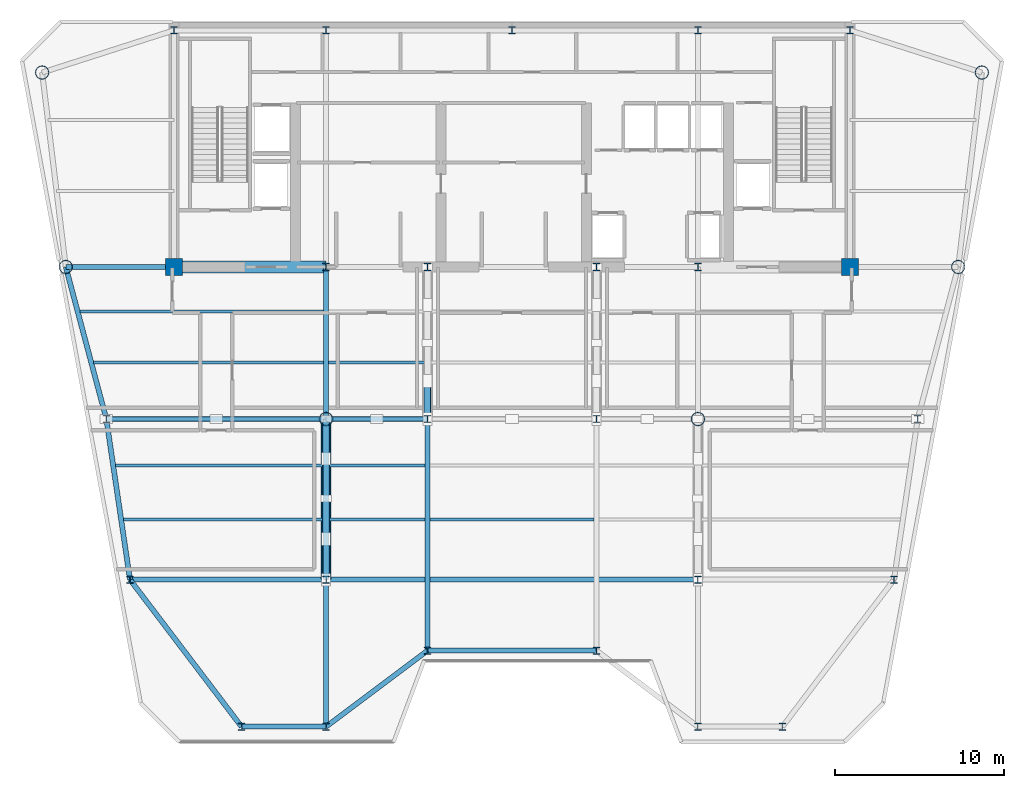
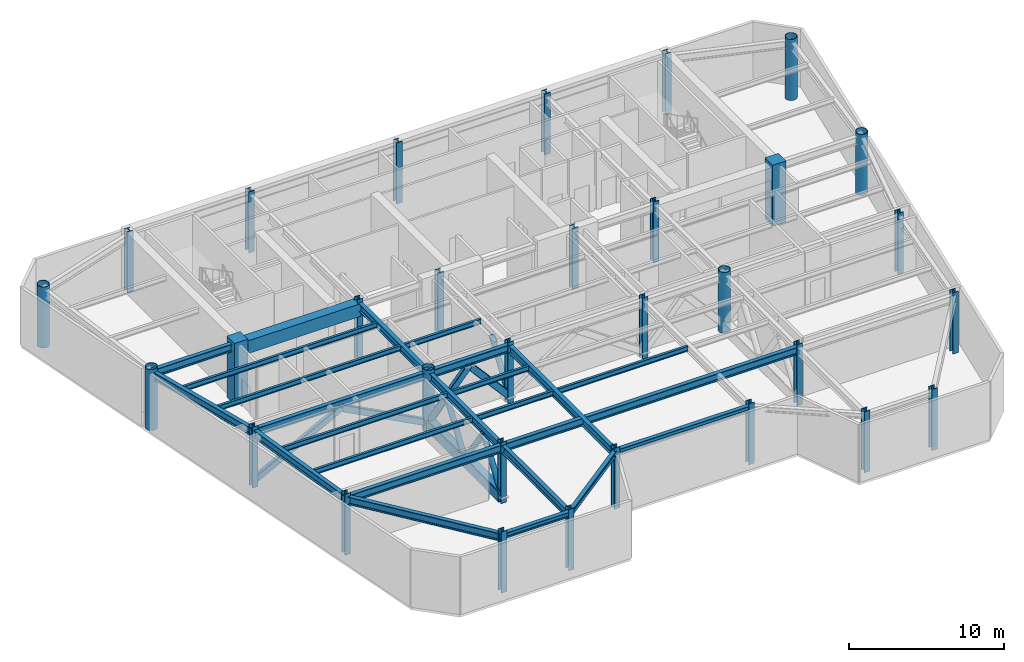
# One storey, part 1 of 9: 31 columns, 24 beams, 11 members.
"""IFC4 building model written with IfcOpenShell, lengths in metres."""

from ifc_helpers import new_model, si_unit, direction, frame, origin, origin_2d, place, context, subcontext, project, spatial, rectangle, hollow_rectangle, hollow_circle, i_section, extrude, source, transform, mapped, material, material_profile, profile_set, type_object, element, save


model = new_model("IFC4")

# Units and contexts
model_context = context("Model", 3, precision=1e-05, world=origin(), true_north=direction((0.0, 1.0)))
body_context = subcontext(model_context, "Body", "Model", "MODEL_VIEW")
ifc_project = project(units=[si_unit("LENGTHUNIT", "METRE"), si_unit("AREAUNIT", "SQUARE_METRE"), si_unit("VOLUMEUNIT", "CUBIC_METRE"), si_unit("PLANEANGLEUNIT", "RADIAN"), si_unit("MASSUNIT", "GRAM", prefix="KILO")], contexts=[model_context])

# Site, building, storey
site_placement = place(None, origin())
site = spatial("IfcSite", under=ifc_project, at=site_placement, CompositionType="ELEMENT")
building_placement = place(site_placement, origin())
building = spatial("IfcBuilding", under=site, at=building_placement, Name="Vaeldorn Concourse Tower", CompositionType="ELEMENT")
storey_placement = place(building_placement, frame((0.0, 0.0, 218.39990234375)))
storey = spatial("IfcBuildingStorey", under=building, at=storey_placement, Name="L56", CompositionType="ELEMENT", Elevation=218.39990234375)

# Columns
ifc_material_1 = material(Name="Concrete C50/60", Category="concrete")
ifc_material_profile_1 = material_profile(ifc_material_1, rectangle(XDim=1.0, YDim=1.0, at=origin_2d()), Name="RC 1000x1000")
ifc_profile_set_1 = profile_set([ifc_material_profile_1], Name="Concrete C50/60")
column_type_1 = type_object("IfcColumnType", Name="COL-RC1000", PredefinedType="COLUMN", material=ifc_profile_set_1)
shared_shape_1 = source(origin(), body_context, "Body", "SweptSolid", [
    extrude(rectangle(XDim=1.0, YDim=1.0, at=origin_2d()), origin(), (0.0, 0.0, 1.0), 4.800048828125),
])
for number, where, z_axis, x_axis, name in (
    (1, (14.0, 36.5, 0.0), (0.0, 0.0, 1.0), (1.0, 0.0, 0.0), "Column C-FC1 L56"),
    (2, (54.0, 36.5, 0.0), (0.0, 0.0, 1.0), (1.0, 0.0, 0.0), "Column C-FC6 L56"),
):
    element("IfcColumn", number, at=place(storey_placement, frame(where, z_axis=z_axis, x_axis=x_axis)), inside=storey, type_object=column_type_1, Name=name, PredefinedType="COLUMN", context=body_context, shape_type="MappedRepresentation", body=[
        mapped(shared_shape_1, transform((0.0, 0.0, 0.0), scale=1.0)),
    ])
ifc_material_2 = material(Name="Steel S460", Category="steel")
ifc_material_profile_2 = material_profile(ifc_material_2, i_section(OverallWidth=0.41796875, OverallDepth=0.455078125, WebThickness=0.0419921875, FlangeThickness=0.05810546875, FilletRadius=0.014892578125, at=origin_2d()), Name="HD 400x551")
ifc_profile_set_2 = profile_set([ifc_material_profile_2], Name="Steel S460")
column_type_2 = type_object("IfcColumnType", Name="COL-HD551", PredefinedType="COLUMN", material=ifc_profile_set_2)
shared_shape_2 = source(origin(), body_context, "Body", "SweptSolid", [
    extrude(i_section(OverallWidth=0.41796875, OverallDepth=0.455078125, WebThickness=0.0419921875, FlangeThickness=0.05810546875, FilletRadius=0.014892578125, at=origin_2d()), origin(), (0.0, 0.0, 1.0), 4.800048828125),
])
for number, where, z_axis, x_axis, name in (
    (3, (23.0, 36.5, 0.0), (0.0, 0.0, 1.0), (1.0, 0.0, 0.0), "Column C-FC2 L56"),
    (4, (29.0, 36.5, 0.0), (0.0, 0.0, 1.0), (1.0, 0.0, 0.0), "Column C-FC3 L56"),
    (5, (39.0, 36.5, 0.0), (0.0, 0.0, 1.0), (1.0, 0.0, 0.0), "Column C-FC4 L56"),
    (6, (45.0, 36.5, 0.0), (0.0, 0.0, 1.0), (1.0, 0.0, 0.0), "Column C-FC5 L56"),
    (7, (14.0, 50.5, 0.0), (0.0, 0.0, 1.0), (1.0, 0.0, 0.0), "Column C-HC1 L56"),
    (8, (23.0, 50.5, 0.0), (0.0, 0.0, 1.0), (1.0, 0.0, 0.0), "Column C-HC2 L56"),
    (9, (34.0, 50.5, 0.0), (0.0, 0.0, 1.0), (1.0, 0.0, 0.0), "Column C-HC3 L56"),
    (10, (45.0, 50.5, 0.0), (0.0, 0.0, 1.0), (1.0, 0.0, 0.0), "Column C-HC4 L56"),
    (11, (54.0, 50.5, 0.0), (0.0, 0.0, 1.0), (1.0, 0.0, 0.0), "Column C-HC5 L56"),
):
    element("IfcColumn", number, at=place(storey_placement, frame(where, z_axis=z_axis, x_axis=x_axis)), inside=storey, type_object=column_type_2, Name=name, PredefinedType="COLUMN", context=body_context, shape_type="MappedRepresentation", body=[
        mapped(shared_shape_2, transform((0.0, 0.0, 0.0), scale=1.0)),
    ])
ifc_material_profile_3 = material_profile(ifc_material_2, hollow_circle(Radius=0.406494140625, WallThickness=0.0400390625, at=origin_2d()), Name="CHS 813x40")
ifc_profile_set_3 = profile_set([ifc_material_profile_3], Name="Steel S460")
column_type_3 = type_object("IfcColumnType", Name="COL-CHS813", PredefinedType="COLUMN", material=ifc_profile_set_3)
shared_shape_3 = source(origin(), body_context, "Body", "SweptSolid", [
    extrude(hollow_circle(Radius=0.406494140625, WallThickness=0.0400390625, at=origin_2d()), origin(), (0.0, 0.0, 1.0), 4.800048828125),
])
for number, where, z_axis, x_axis, name in (
    (12, (6.199951171875, 48.0, 0.0), (0.0, 0.0, 1.0), (1.0, 0.0, 0.0), "Column C-NW1 L56"),
    (13, (7.60009765625, 36.5, 0.0), (0.0, 0.0, 1.0), (1.0, 0.0, 0.0), "Column C-NW2 L56"),
    (14, (61.800048828125, 48.0, 0.0), (0.0, 0.0, 1.0), (1.0, 0.0, 0.0), "Column C-NE1 L56"),
    (15, (60.39990234375, 36.5, 0.0), (0.0, 0.0, 1.0), (1.0, 0.0, 0.0), "Column C-NE2 L56"),
    (16, (23.0, 27.5, 0.0), (0.0, 0.0, 1.0), (1.0, 0.0, 0.0), "Column C-TW1 L56"),
    (17, (45.0, 27.5, 0.0), (0.0, 0.0, 1.0), (1.0, 0.0, 0.0), "Column C-TW4 L56"),
):
    element("IfcColumn", number, at=place(storey_placement, frame(where, z_axis=z_axis, x_axis=x_axis)), inside=storey, type_object=column_type_3, Name=name, PredefinedType="COLUMN", context=body_context, shape_type="MappedRepresentation", body=[
        mapped(shared_shape_3, transform((0.0, 0.0, 0.0), scale=1.0)),
    ])
ifc_material_3 = material(Name="Steel S355", Category="steel")
ifc_material_profile_4 = material_profile(ifc_material_3, i_section(OverallWidth=0.412109375, OverallDepth=0.43505859375, WebThickness=0.035888671875, FlangeThickness=0.050048828125, FilletRadius=0.014892578125, at=origin_2d()), Name="HD 400x463")
ifc_profile_set_4 = profile_set([ifc_material_profile_4], Name="Steel S355")
column_type_4 = type_object("IfcColumnType", Name="COL-HD463F", PredefinedType="COLUMN", material=ifc_profile_set_4)
shared_shape_4 = source(origin(), body_context, "Body", "SweptSolid", [
    extrude(i_section(OverallWidth=0.412109375, OverallDepth=0.43505859375, WebThickness=0.035888671875, FlangeThickness=0.050048828125, FilletRadius=0.014892578125, at=origin_2d()), origin(), (0.0, 0.0, 1.0), 4.800048828125),
])
for number, where, z_axis, x_axis, name in (
    (18, (10.0, 27.5, 0.0), (0.0, 0.0, 1.0), (1.0, 0.0, 0.0), "Column C-FLW1 L56"),
    (19, (11.39990234375, 18.0, 0.0), (0.0, 0.0, 1.0), (1.0, 0.0, 0.0), "Column C-FLW2 L56"),
    (20, (58.0, 27.5, 0.0), (0.0, 0.0, 1.0), (1.0, 0.0, 0.0), "Column C-FLE1 L56"),
    (21, (56.60009765625, 18.0, 0.0), (0.0, 0.0, 1.0), (1.0, 0.0, 0.0), "Column C-FLE2 L56"),
):
    element("IfcColumn", number, at=place(storey_placement, frame(where, z_axis=z_axis, x_axis=x_axis)), inside=storey, type_object=column_type_4, Name=name, PredefinedType="COLUMN", context=body_context, shape_type="MappedRepresentation", body=[
        mapped(shared_shape_4, transform((0.0, 0.0, 0.0), scale=1.0)),
    ])
ifc_material_profile_5 = material_profile(ifc_material_3, i_section(OverallWidth=0.412109375, OverallDepth=0.43505859375, WebThickness=0.035888671875, FlangeThickness=0.050048828125, FilletRadius=0.014892578125, at=origin_2d()), Name="HD 400x463")
ifc_profile_set_5 = profile_set([ifc_material_profile_5], Name="Steel S355")
column_type_5 = type_object("IfcColumnType", Name="COL-HD463T", PredefinedType="COLUMN", material=ifc_profile_set_5)
shared_shape_5 = source(origin(), body_context, "Body", "SweptSolid", [
    extrude(i_section(OverallWidth=0.412109375, OverallDepth=0.43505859375, WebThickness=0.035888671875, FlangeThickness=0.050048828125, FilletRadius=0.014892578125, at=origin_2d()), origin(), (0.0, 0.0, 1.0), 4.800048828125),
])
for number, where, z_axis, x_axis, name in (
    (22, (29.0, 27.5, 0.0), (0.0, 0.0, 1.0), (1.0, 0.0, 0.0), "Column C-TW2 L56"),
    (23, (39.0, 27.5, 0.0), (0.0, 0.0, 1.0), (1.0, 0.0, 0.0), "Column C-TW3 L56"),
    (24, (23.0, 18.0, 0.0), (0.0, 0.0, 1.0), (1.0, 0.0, 0.0), "Column C-TW5 L56"),
    (25, (45.0, 18.0, 0.0), (0.0, 0.0, 1.0), (1.0, 0.0, 0.0), "Column C-TW6 L56"),
    (26, (18.0, 9.300048828125, 0.0), (0.0, 0.0, 1.0), (1.0, 0.0, 0.0), "Column C-SF1 L56"),
    (27, (23.0, 9.300048828125, 0.0), (0.0, 0.0, 1.0), (1.0, 0.0, 0.0), "Column C-SF2 L56"),
    (28, (29.0, 13.800048828125, 0.0), (0.0, 0.0, 1.0), (1.0, 0.0, 0.0), "Column C-SF3 L56"),
    (29, (39.0, 13.800048828125, 0.0), (0.0, 0.0, 1.0), (1.0, 0.0, 0.0), "Column C-SF4 L56"),
    (30, (45.0, 9.300048828125, 0.0), (0.0, 0.0, 1.0), (1.0, 0.0, 0.0), "Column C-SF5 L56"),
    (31, (50.0, 9.300048828125, 0.0), (0.0, 0.0, 1.0), (1.0, 0.0, 0.0), "Column C-SF6 L56"),
):
    element("IfcColumn", number, at=place(storey_placement, frame(where, z_axis=z_axis, x_axis=x_axis)), inside=storey, type_object=column_type_5, Name=name, PredefinedType="COLUMN", context=body_context, shape_type="MappedRepresentation", body=[
        mapped(shared_shape_5, transform((0.0, 0.0, 0.0), scale=1.0)),
    ])

# Beams
ifc_material_profile_6 = material_profile(ifc_material_1, rectangle(XDim=0.699951171875, YDim=1.0, at=origin_2d()), Name="RC 700x1000")
ifc_profile_set_6 = profile_set([ifc_material_profile_6], Name="Concrete C50/60")
beam_type_1 = type_object("IfcBeamType", Name="BM-CB-RC700", PredefinedType="BEAM", material=ifc_profile_set_6)
shared_shape_6 = source(origin(), body_context, "Body", "SweptSolid", [
    extrude(rectangle(XDim=0.699951171875, YDim=1.0, at=origin_2d()), origin(), (0.0, 0.0, 1.0), 9.0),
])
beam_1_placement = place(storey_placement, frame((14.0, 36.5, 4.0400390625), z_axis=(1.0, 0.0, 0.0), x_axis=(0.0, 1.0, 0.0)))
element("IfcBeam", 32, at=beam_1_placement, inside=storey, type_object=beam_type_1, Name="Core Coupling Beam L56-1", PredefinedType="BEAM", context=body_context, shape_type="MappedRepresentation", body=[
    mapped(shared_shape_6, transform((0.0, 0.0, 0.0), scale=1.0)),
])
ifc_material_profile_7 = material_profile(ifc_material_3, i_section(OverallWidth=0.300048828125, OverallDepth=0.60009765625, WebThickness=0.015380859375, FlangeThickness=0.030029296875, FilletRadius=0.027099609375, at=origin_2d()), Name="HEB 600")
ifc_profile_set_7 = profile_set([ifc_material_profile_7], Name="Steel S355")
beam_type_2 = type_object("IfcBeamType", Name="BM-PG-HEB600", PredefinedType="BEAM", material=ifc_profile_set_7)
shared_shape_7 = source(origin(), body_context, "Body", "SweptSolid", [
    extrude(i_section(OverallWidth=0.300048828125, OverallDepth=0.60009765625, WebThickness=0.015380859375, FlangeThickness=0.030029296875, FilletRadius=0.027099609375, at=origin_2d()), origin(), (0.0, 0.0, 1.0), 6.0),
])
beam_2_placement = place(storey_placement, frame((23.0, 27.5, 4.239990234375), z_axis=(1.0, 0.0, 0.0), x_axis=(0.0, 1.0, 0.0)))
element("IfcBeam", 33, at=beam_2_placement, inside=storey, type_object=beam_type_2, Name="Beam BM-L56-C-TW1-C-TW2", PredefinedType="BEAM", context=body_context, shape_type="MappedRepresentation", body=[
    mapped(shared_shape_7, transform((0.0, 0.0, 0.0), scale=1.0)),
])
shared_shape_8 = source(origin(), body_context, "Body", "SweptSolid", [
    extrude(i_section(OverallWidth=0.300048828125, OverallDepth=0.60009765625, WebThickness=0.015380859375, FlangeThickness=0.030029296875, FilletRadius=0.027099609375, at=origin_2d()), origin(), (0.0, 0.0, 1.0), 9.0),
])
beam_3_placement = place(storey_placement, frame((23.0, 27.5, 4.239990234375), z_axis=(0.0, 1.0, 0.0), x_axis=(-1.0, 0.0, 0.0)))
element("IfcBeam", 34, at=beam_3_placement, inside=storey, type_object=beam_type_2, Name="Beam BM-L56-C-TW1-C-FC2", PredefinedType="BEAM", context=body_context, shape_type="MappedRepresentation", body=[
    mapped(shared_shape_8, transform((0.0, 0.0, 0.0), scale=1.0)),
])
shared_shape_9 = source(origin(), body_context, "Body", "SweptSolid", [
    extrude(i_section(OverallWidth=0.300048828125, OverallDepth=0.60009765625, WebThickness=0.015380859375, FlangeThickness=0.030029296875, FilletRadius=0.027099609375, at=origin_2d()), origin(), (0.0, 0.0, 1.0), 6.39990234375),
])
beam_4_placement = place(storey_placement, frame((7.60009765625, 36.5, 4.239990234375), z_axis=(1.0, 0.0, 0.0), x_axis=(0.0, 1.0, 0.0)))
element("IfcBeam", 35, at=beam_4_placement, inside=storey, type_object=beam_type_2, Name="Beam BM-L56-C-NW2-C-FC1", PredefinedType="BEAM", context=body_context, shape_type="MappedRepresentation", body=[
    mapped(shared_shape_9, transform((0.0, 0.0, 0.0), scale=1.0)),
])
shared_shape_10 = source(origin(), body_context, "Body", "SweptSolid", [
    extrude(i_section(OverallWidth=0.300048828125, OverallDepth=0.60009765625, WebThickness=0.015380859375, FlangeThickness=0.030029296875, FilletRadius=0.027099609375, at=origin_2d()), origin(), (0.0, 0.0, 1.0), 9.314453125),
])
beam_5_placement = place(storey_placement, frame((7.60009765625, 36.5, 4.239990234375), z_axis=(0.257652862255, -0.966237549763, 0.0), x_axis=(0.966237549763, 0.257652862255, 0.0)))
element("IfcBeam", 36, at=beam_5_placement, inside=storey, type_object=beam_type_2, Name="Beam BM-L56-C-NW2-C-FLW1", PredefinedType="BEAM", context=body_context, shape_type="MappedRepresentation", body=[
    mapped(shared_shape_10, transform((0.0, 0.0, 0.0), scale=1.0)),
])
shared_shape_11 = source(origin(), body_context, "Body", "SweptSolid", [
    extrude(i_section(OverallWidth=0.300048828125, OverallDepth=0.60009765625, WebThickness=0.015380859375, FlangeThickness=0.030029296875, FilletRadius=0.027099609375, at=origin_2d()), origin(), (0.0, 0.0, 1.0), 13.0),
])
beam_6_placement = place(storey_placement, frame((10.0, 27.5, 4.239990234375), z_axis=(1.0, 0.0, 0.0), x_axis=(0.0, 1.0, 0.0)))
element("IfcBeam", 37, at=beam_6_placement, inside=storey, type_object=beam_type_2, Name="Beam BM-L56-C-FLW1-C-TW1", PredefinedType="BEAM", context=body_context, shape_type="MappedRepresentation", body=[
    mapped(shared_shape_11, transform((0.0, 0.0, 0.0), scale=1.0)),
])
shared_shape_12 = source(origin(), body_context, "Body", "SweptSolid", [
    extrude(i_section(OverallWidth=0.300048828125, OverallDepth=0.60009765625, WebThickness=0.015380859375, FlangeThickness=0.030029296875, FilletRadius=0.027099609375, at=origin_2d()), origin(), (0.0, 0.0, 1.0), 9.6025390625),
])
beam_7_placement = place(storey_placement, frame((10.0, 27.5, 4.239990234375), z_axis=(0.145783835977, -0.989316467652, 0.0), x_axis=(0.989316467652, 0.145783835977, 0.0)))
element("IfcBeam", 38, at=beam_7_placement, inside=storey, type_object=beam_type_2, Name="Beam BM-L56-C-FLW1-C-FLW2", PredefinedType="BEAM", context=body_context, shape_type="MappedRepresentation", body=[
    mapped(shared_shape_12, transform((0.0, 0.0, 0.0), scale=1.0)),
])
shared_shape_13 = source(origin(), body_context, "Body", "SweptSolid", [
    extrude(i_section(OverallWidth=0.300048828125, OverallDepth=0.60009765625, WebThickness=0.015380859375, FlangeThickness=0.030029296875, FilletRadius=0.027099609375, at=origin_2d()), origin(), (0.0, 0.0, 1.0), 11.60009765625),
])
beam_8_placement = place(storey_placement, frame((11.39990234375, 18.0, 4.239990234375), z_axis=(1.0, 0.0, 0.0), x_axis=(0.0, 1.0, 0.0)))
element("IfcBeam", 39, at=beam_8_placement, inside=storey, type_object=beam_type_2, Name="Beam BM-L56-C-FLW2-C-TW5", PredefinedType="BEAM", context=body_context, shape_type="MappedRepresentation", body=[
    mapped(shared_shape_13, transform((0.0, 0.0, 0.0), scale=1.0)),
])
shared_shape_14 = source(origin(), body_context, "Body", "SweptSolid", [
    extrude(i_section(OverallWidth=0.300048828125, OverallDepth=0.60009765625, WebThickness=0.015380859375, FlangeThickness=0.030029296875, FilletRadius=0.027099609375, at=origin_2d()), origin(), (0.0, 0.0, 1.0), 22.0),
])
beam_9_placement = place(storey_placement, frame((23.0, 18.0, 4.239990234375), z_axis=(1.0, 0.0, 0.0), x_axis=(0.0, 1.0, 0.0)))
element("IfcBeam", 40, at=beam_9_placement, inside=storey, type_object=beam_type_2, Name="Beam BM-L56-C-TW5-C-TW6", PredefinedType="BEAM", context=body_context, shape_type="MappedRepresentation", body=[
    mapped(shared_shape_14, transform((0.0, 0.0, 0.0), scale=1.0)),
])
shared_shape_15 = source(origin(), body_context, "Body", "SweptSolid", [
    extrude(i_section(OverallWidth=0.300048828125, OverallDepth=0.60009765625, WebThickness=0.015380859375, FlangeThickness=0.030029296875, FilletRadius=0.027099609375, at=origin_2d()), origin(), (0.0, 0.0, 1.0), 9.5),
])
beam_10_placement = place(storey_placement, frame((23.0, 18.0, 4.239990234375), z_axis=(0.0, 1.0, 0.0), x_axis=(-1.0, 0.0, 0.0)))
element("IfcBeam", 41, at=beam_10_placement, inside=storey, type_object=beam_type_2, Name="Beam BM-L56-C-TW5-C-TW1", PredefinedType="BEAM", context=body_context, shape_type="MappedRepresentation", body=[
    mapped(shared_shape_15, transform((0.0, 0.0, 0.0), scale=1.0)),
])
ifc_material_profile_8 = material_profile(ifc_material_3, i_section(OverallWidth=0.300048828125, OverallDepth=0.39990234375, WebThickness=0.013427734375, FlangeThickness=0.02392578125, FilletRadius=0.027099609375, at=origin_2d()), Name="HEB 400")
ifc_profile_set_8 = profile_set([ifc_material_profile_8], Name="Steel S355")
beam_type_3 = type_object("IfcBeamType", Name="BM-SP-HEB400", PredefinedType="SPANDREL", material=ifc_profile_set_8)
shared_shape_16 = source(origin(), body_context, "Body", "SweptSolid", [
    extrude(i_section(OverallWidth=0.300048828125, OverallDepth=0.39990234375, WebThickness=0.013427734375, FlangeThickness=0.02392578125, FilletRadius=0.027099609375, at=origin_2d()), origin(), (0.0, 0.0, 1.0), 5.0),
])
beam_11_placement = place(storey_placement, frame((18.0, 9.300048828125, 4.340087890625), z_axis=(1.0, 0.0, 0.0), x_axis=(0.0, 1.0, 0.0)))
element("IfcBeam", 42, at=beam_11_placement, inside=storey, type_object=beam_type_3, Name="Beam BM-L56-C-SF1-C-SF2", PredefinedType="SPANDREL", context=body_context, shape_type="MappedRepresentation", body=[
    mapped(shared_shape_16, transform((0.0, 0.0, 0.0), scale=1.0)),
])
shared_shape_17 = source(origin(), body_context, "Body", "SweptSolid", [
    extrude(i_section(OverallWidth=0.300048828125, OverallDepth=0.39990234375, WebThickness=0.013427734375, FlangeThickness=0.02392578125, FilletRadius=0.027099609375, at=origin_2d()), origin(), (0.0, 0.0, 1.0), 7.5),
])
beam_12_placement = place(storey_placement, frame((23.0, 9.300048828125, 4.340087890625), z_axis=(0.8, 0.6, 0.0), x_axis=(-0.6, 0.8, 0.0)))
element("IfcBeam", 43, at=beam_12_placement, inside=storey, type_object=beam_type_3, Name="Beam BM-L56-C-SF2-C-SF3", PredefinedType="SPANDREL", context=body_context, shape_type="MappedRepresentation", body=[
    mapped(shared_shape_17, transform((0.0, 0.0, 0.0), scale=1.0)),
])
shared_shape_18 = source(origin(), body_context, "Body", "SweptSolid", [
    extrude(i_section(OverallWidth=0.300048828125, OverallDepth=0.39990234375, WebThickness=0.013427734375, FlangeThickness=0.02392578125, FilletRadius=0.027099609375, at=origin_2d()), origin(), (0.0, 0.0, 1.0), 10.0),
])
beam_13_placement = place(storey_placement, frame((29.0, 13.800048828125, 4.340087890625), z_axis=(1.0, 0.0, 0.0), x_axis=(0.0, 1.0, 0.0)))
element("IfcBeam", 44, at=beam_13_placement, inside=storey, type_object=beam_type_3, Name="Beam BM-L56-C-SF3-C-SF4", PredefinedType="SPANDREL", context=body_context, shape_type="MappedRepresentation", body=[
    mapped(shared_shape_18, transform((0.0, 0.0, 0.0), scale=1.0)),
])
ifc_material_profile_9 = material_profile(ifc_material_3, i_section(OverallWidth=0.179931640625, OverallDepth=0.39990234375, WebThickness=0.008544921875, FlangeThickness=0.013427734375, FilletRadius=0.02099609375, at=origin_2d()), Name="IPE 400")
ifc_profile_set_9 = profile_set([ifc_material_profile_9], Name="Steel S355")
beam_type_4 = type_object("IfcBeamType", Name="BM-JS-IPE400", PredefinedType="JOIST", material=ifc_profile_set_9)
shared_shape_19 = source(origin(), body_context, "Body", "SweptSolid", [
    extrude(i_section(OverallWidth=0.179931640625, OverallDepth=0.39990234375, WebThickness=0.008544921875, FlangeThickness=0.013427734375, FilletRadius=0.02099609375, at=origin_2d()), origin(), (0.0, 0.0, 1.0), 5.7001953125),
])
for number, where, z_axis, x_axis, name in (
    (45, (23.14990234375, 21.56005859375, 4.340087890625), (1.0, 0.0, 0.0), (0.0, 1.0, 0.0), "Beam JS-L56-W2-215"),
    (46, (23.14990234375, 24.760009765625, 4.340087890625), (1.0, 0.0, 0.0), (0.0, 1.0, 0.0), "Beam JS-L56-W2-247"),
    (47, (23.14990234375, 30.860107421875, 4.340087890625), (1.0, 0.0, 0.0), (0.0, 1.0, 0.0), "Beam JS-L56-W2-308"),
):
    element("IfcBeam", number, at=place(storey_placement, frame(where, z_axis=z_axis, x_axis=x_axis)), inside=storey, type_object=beam_type_4, Name=name, PredefinedType="JOIST", context=body_context, shape_type="MappedRepresentation", body=[
        mapped(shared_shape_19, transform((0.0, 0.0, 0.0), scale=1.0)),
    ])
shared_shape_20 = source(origin(), body_context, "Body", "SweptSolid", [
    extrude(i_section(OverallWidth=0.179931640625, OverallDepth=0.39990234375, WebThickness=0.008544921875, FlangeThickness=0.013427734375, FilletRadius=0.02099609375, at=origin_2d()), origin(), (0.0, 0.0, 1.0), 9.7001953125),
])
beam_14_placement = place(storey_placement, frame((29.14990234375, 21.56005859375, 4.340087890625), z_axis=(1.0, 0.0, 0.0), x_axis=(0.0, 1.0, 0.0)))
element("IfcBeam", 48, at=beam_14_placement, inside=storey, type_object=beam_type_4, Name="Beam JS-L56-C-215", PredefinedType="JOIST", context=body_context, shape_type="MappedRepresentation", body=[
    mapped(shared_shape_20, transform((0.0, 0.0, 0.0), scale=1.0)),
])
shared_shape_21 = source(origin(), body_context, "Body", "SweptSolid", [
    extrude(i_section(OverallWidth=0.179931640625, OverallDepth=0.39990234375, WebThickness=0.008544921875, FlangeThickness=0.013427734375, FilletRadius=0.02099609375, at=origin_2d()), origin(), (0.0, 0.0, 1.0), 11.82470703125),
])
beam_15_placement = place(storey_placement, frame((11.025390625, 21.56005859375, 4.340087890625), z_axis=(1.0, 0.0, 0.0), x_axis=(0.0, 1.0, 0.0)))
element("IfcBeam", 49, at=beam_15_placement, inside=storey, type_object=beam_type_4, Name="Beam JS-L56-W1-215", PredefinedType="JOIST", context=body_context, shape_type="MappedRepresentation", body=[
    mapped(shared_shape_21, transform((0.0, 0.0, 0.0), scale=1.0)),
])
shared_shape_22 = source(origin(), body_context, "Body", "SweptSolid", [
    extrude(i_section(OverallWidth=0.179931640625, OverallDepth=0.39990234375, WebThickness=0.008544921875, FlangeThickness=0.013427734375, FilletRadius=0.02099609375, at=origin_2d()), origin(), (0.0, 0.0, 1.0), 12.29638671875),
])
beam_16_placement = place(storey_placement, frame((10.5537109375, 24.760009765625, 4.340087890625), z_axis=(1.0, 0.0, 0.0), x_axis=(0.0, 1.0, 0.0)))
element("IfcBeam", 50, at=beam_16_placement, inside=storey, type_object=beam_type_4, Name="Beam JS-L56-W1-247", PredefinedType="JOIST", context=body_context, shape_type="MappedRepresentation", body=[
    mapped(shared_shape_22, transform((0.0, 0.0, 0.0), scale=1.0)),
])
shared_shape_23 = source(origin(), body_context, "Body", "SweptSolid", [
    extrude(i_section(OverallWidth=0.179931640625, OverallDepth=0.39990234375, WebThickness=0.008544921875, FlangeThickness=0.013427734375, FilletRadius=0.02099609375, at=origin_2d()), origin(), (0.0, 0.0, 1.0), 13.59619140625),
])
beam_17_placement = place(storey_placement, frame((9.25390625, 30.860107421875, 4.340087890625), z_axis=(1.0, 0.0, 0.0), x_axis=(0.0, 1.0, 0.0)))
element("IfcBeam", 51, at=beam_17_placement, inside=storey, type_object=beam_type_4, Name="Beam JS-L56-W1-308", PredefinedType="JOIST", context=body_context, shape_type="MappedRepresentation", body=[
    mapped(shared_shape_23, transform((0.0, 0.0, 0.0), scale=1.0)),
])
shared_shape_24 = source(origin(), body_context, "Body", "SweptSolid", [
    extrude(i_section(OverallWidth=0.179931640625, OverallDepth=0.39990234375, WebThickness=0.008544921875, FlangeThickness=0.013427734375, FilletRadius=0.02099609375, at=origin_2d()), origin(), (0.0, 0.0, 1.0), 14.39599609375),
])
beam_18_placement = place(storey_placement, frame((8.4541015625, 33.860107421875, 4.340087890625), z_axis=(1.0, 0.0, 0.0), x_axis=(0.0, 1.0, 0.0)))
element("IfcBeam", 52, at=beam_18_placement, inside=storey, type_object=beam_type_4, Name="Beam JS-L56-W1-338", PredefinedType="JOIST", context=body_context, shape_type="MappedRepresentation", body=[
    mapped(shared_shape_24, transform((0.0, 0.0, 0.0), scale=1.0)),
])
shared_shape_25 = source(origin(), body_context, "Body", "SweptSolid", [
    extrude(i_section(OverallWidth=0.300048828125, OverallDepth=0.60009765625, WebThickness=0.015380859375, FlangeThickness=0.030029296875, FilletRadius=0.027099609375, at=origin_2d()), origin(), (0.0, 0.0, 1.0), 10.920166015625),
])
beam_19_placement = place(storey_placement, frame((18.0, 9.300048828125, 4.239990234375), z_axis=(-0.604394310451, 0.796685331542, 0.0), x_axis=(-0.796685331542, -0.604394310451, 0.0)))
element("IfcBeam", 53, at=beam_19_placement, inside=storey, type_object=beam_type_2, Name="Beam BM-L56-C-SF1-C-FLW2", PredefinedType="BEAM", context=body_context, shape_type="MappedRepresentation", body=[
    mapped(shared_shape_25, transform((0.0, 0.0, 0.0), scale=1.0)),
])
shared_shape_26 = source(origin(), body_context, "Body", "SweptSolid", [
    extrude(i_section(OverallWidth=0.300048828125, OverallDepth=0.60009765625, WebThickness=0.015380859375, FlangeThickness=0.030029296875, FilletRadius=0.027099609375, at=origin_2d()), origin(), (0.0, 0.0, 1.0), 8.699951171875),
])
beam_20_placement = place(storey_placement, frame((23.0, 9.300048828125, 4.239990234375), z_axis=(0.0, 1.0, 0.0), x_axis=(-1.0, 0.0, 0.0)))
element("IfcBeam", 54, at=beam_20_placement, inside=storey, type_object=beam_type_2, Name="Beam BM-L56-C-SF2-C-TW5", PredefinedType="BEAM", context=body_context, shape_type="MappedRepresentation", body=[
    mapped(shared_shape_26, transform((0.0, 0.0, 0.0), scale=1.0)),
])
shared_shape_27 = source(origin(), body_context, "Body", "SweptSolid", [
    extrude(i_section(OverallWidth=0.300048828125, OverallDepth=0.60009765625, WebThickness=0.015380859375, FlangeThickness=0.030029296875, FilletRadius=0.027099609375, at=origin_2d()), origin(), (0.0, 0.0, 1.0), 13.699951171875),
])
beam_21_placement = place(storey_placement, frame((29.0, 13.800048828125, 4.239990234375), z_axis=(0.0, 1.0, 0.0), x_axis=(-1.0, 0.0, 0.0)))
element("IfcBeam", 55, at=beam_21_placement, inside=storey, type_object=beam_type_2, Name="Beam BM-L56-C-SF3-C-TW2", PredefinedType="BEAM", context=body_context, shape_type="MappedRepresentation", body=[
    mapped(shared_shape_27, transform((0.0, 0.0, 0.0), scale=1.0)),
])

# Members
ifc_material_profile_10 = material_profile(ifc_material_2, hollow_rectangle(XDim=0.60009765625, YDim=0.89990234375, WallThickness=0.0400390625, InnerFilletRadius=0.0400390625, OuterFilletRadius=0.080078125, at=origin_2d()), Name="RHS 900x600x40")
ifc_profile_set_10 = profile_set([ifc_material_profile_10], Name="Steel S460")
member_type_1 = type_object("IfcMemberType", Name="MB-OT-CHORD1", PredefinedType="CHORD", material=ifc_profile_set_10)
shared_shape_28 = source(origin(), body_context, "Body", "SweptSolid", [
    extrude(hollow_rectangle(XDim=0.60009765625, YDim=0.89990234375, WallThickness=0.0400390625, InnerFilletRadius=0.0400390625, OuterFilletRadius=0.080078125, at=origin_2d()), origin(), (0.0, 0.0, 1.0), 4.699951171875),
])
member_1_placement = place(storey_placement, frame((23.0, 27.5, 0.4501953125), z_axis=(0.0, -1.0, 0.0), x_axis=(1.0, 0.0, 0.0)))
element("IfcMember", 56, at=member_1_placement, inside=storey, type_object=member_type_1, Name="Outrigger Bottom Chord L56 OT1.1", PredefinedType="CHORD", context=body_context, shape_type="MappedRepresentation", body=[
    mapped(shared_shape_28, transform((0.0, 0.0, 0.0), scale=1.0)),
])
shared_shape_29 = source(origin(), body_context, "Body", "SweptSolid", [
    extrude(hollow_rectangle(XDim=0.60009765625, YDim=0.89990234375, WallThickness=0.0400390625, InnerFilletRadius=0.0400390625, OuterFilletRadius=0.080078125, at=origin_2d()), origin(), (0.0, 0.0, 1.0), 4.800048828125),
])
member_2_placement = place(storey_placement, frame((23.0, 22.800048828125, 0.4501953125), z_axis=(0.0, -1.0, 0.0), x_axis=(1.0, 0.0, 0.0)))
element("IfcMember", 57, at=member_2_placement, inside=storey, type_object=member_type_1, Name="Outrigger Bottom Chord L56 OT1.2", PredefinedType="CHORD", context=body_context, shape_type="MappedRepresentation", body=[
    mapped(shared_shape_29, transform((0.0, 0.0, 0.0), scale=1.0)),
])
ifc_material_profile_11 = material_profile(ifc_material_2, hollow_circle(Radius=0.203125, WallThickness=0.02001953125, at=origin_2d()), Name="CHS 406.4x20")
ifc_profile_set_11 = profile_set([ifc_material_profile_11], Name="Steel S460")
member_type_2 = type_object("IfcMemberType", Name="MB-OT-DIAG2", PredefinedType="BRACE", material=ifc_profile_set_11)
shared_shape_30 = source(origin(), body_context, "Body", "SweptSolid", [
    extrude(hollow_circle(Radius=0.203125, WallThickness=0.02001953125, at=origin_2d()), origin(), (0.0, 0.0, 1.0), 4.166015625),
])
for number, where, z_axis, x_axis, name in (
    (58, (23.0, 27.5, 0.4501953125), (0.0, -0.564103947014, 0.82570378282), (1.0, 0.0, 0.0), "Outrigger Truss Diagonal L56 OT1.1A"),
    (59, (23.0, 22.800048828125, 0.4501953125), (0.0, 0.564063990889, 0.82573107861), (-1.0, 0.0, 0.0), "Outrigger Truss Diagonal L56 OT1.1B"),
):
    element("IfcMember", number, at=place(storey_placement, frame(where, z_axis=z_axis, x_axis=x_axis)), inside=storey, type_object=member_type_2, Name=name, PredefinedType="BRACE", context=body_context, shape_type="MappedRepresentation", body=[
        mapped(shared_shape_30, transform((0.0, 0.0, 0.0), scale=1.0)),
    ])
shared_shape_31 = source(origin(), body_context, "Body", "SweptSolid", [
    extrude(hollow_circle(Radius=0.203125, WallThickness=0.02001953125, at=origin_2d()), origin(), (0.0, 0.0, 1.0), 4.194580078125),
])
member_3_placement = place(storey_placement, frame((23.0, 22.800048828125, 0.4501953125), z_axis=(0.0, -0.572211640255, 0.820105992391), x_axis=(1.0, 0.0, 0.0)))
element("IfcMember", 60, at=member_3_placement, inside=storey, type_object=member_type_2, Name="Outrigger Truss Diagonal L56 OT1.2A", PredefinedType="BRACE", context=body_context, shape_type="MappedRepresentation", body=[
    mapped(shared_shape_31, transform((0.0, 0.0, 0.0), scale=1.0)),
])
shared_shape_32 = source(origin(), body_context, "Body", "SweptSolid", [
    extrude(hollow_circle(Radius=0.203125, WallThickness=0.02001953125, at=origin_2d()), origin(), (0.0, 0.0, 1.0), 4.1943359375),
])
member_4_placement = place(storey_placement, frame((23.0, 18.0, 0.4501953125), z_axis=(0.0, 0.572172491257, 0.820133306389), x_axis=(-1.0, 0.0, 0.0)))
element("IfcMember", 61, at=member_4_placement, inside=storey, type_object=member_type_2, Name="Outrigger Truss Diagonal L56 OT1.2B", PredefinedType="BRACE", context=body_context, shape_type="MappedRepresentation", body=[
    mapped(shared_shape_32, transform((0.0, 0.0, 0.0), scale=1.0)),
])
shared_shape_33 = source(origin(), body_context, "Body", "SweptSolid", [
    extrude(hollow_circle(Radius=0.203125, WallThickness=0.02001953125, at=origin_2d()), origin(), (0.0, 0.0, 1.0), 4.1103515625),
])
member_5_placement = place(storey_placement, frame((29.0, 27.5, 0.4501953125), z_axis=(0.0, 0.547386980315, 0.836879617258), x_axis=(-1.0, 0.0, 0.0)))
element("IfcMember", 62, at=member_5_placement, inside=storey, type_object=member_type_2, Name="Outrigger Truss Diagonal L56 OT2.2B", PredefinedType="BRACE", context=body_context, shape_type="MappedRepresentation", body=[
    mapped(shared_shape_33, transform((0.0, 0.0, 0.0), scale=1.0)),
])
ifc_material_profile_12 = material_profile(ifc_material_3, hollow_rectangle(XDim=0.300048828125, YDim=0.5, WallThickness=0.02490234375, InnerFilletRadius=0.02490234375, OuterFilletRadius=0.050048828125, at=origin_2d()), Name="RHS 500x300x25")
ifc_profile_set_12 = profile_set([ifc_material_profile_12], Name="Steel S355")
member_type_3 = type_object("IfcMemberType", Name="MB-BT-BRACE2", PredefinedType="BRACE", material=ifc_profile_set_12)
shared_shape_34 = source(origin(), body_context, "Body", "SweptSolid", [
    extrude(hollow_rectangle(XDim=0.300048828125, YDim=0.5, WallThickness=0.02490234375, InnerFilletRadius=0.02490234375, OuterFilletRadius=0.050048828125, at=origin_2d()), origin(), (0.0, 0.0, 1.0), 7.354248046875),
])
for number, where, z_axis, x_axis, name in (
    (63, (10.0, 27.5, 0.4501953125), (0.883857352752, 0.0, 0.467756539223), (0.0, 1.0, 0.0), "Belt Truss Chevron Brace L56-1A"),
    (64, (23.0, 27.5, 0.4501953125), (-0.883857352752, 0.0, 0.467756539223), (0.0, -1.0, 0.0), "Belt Truss Chevron Brace L56-1B"),
):
    element("IfcMember", number, at=place(storey_placement, frame(where, z_axis=z_axis, x_axis=x_axis)), inside=storey, type_object=member_type_3, Name=name, PredefinedType="BRACE", context=body_context, shape_type="MappedRepresentation", body=[
        mapped(shared_shape_34, transform((0.0, 0.0, 0.0), scale=1.0)),
    ])
shared_shape_35 = source(origin(), body_context, "Body", "SweptSolid", [
    extrude(hollow_rectangle(XDim=0.300048828125, YDim=0.5, WallThickness=0.02490234375, InnerFilletRadius=0.02490234375, OuterFilletRadius=0.050048828125, at=origin_2d()), origin(), (0.0, 0.0, 1.0), 4.564453125),
])
for number, where, z_axis, x_axis, name in (
    (65, (23.0, 27.5, 0.4501953125), (0.657269221512, 0.0, 0.753655870045), (0.0, 1.0, 0.0), "Belt Truss Chevron Brace L56-2A"),
    (66, (29.0, 27.5, 0.4501953125), (-0.657269221512, 0.0, 0.753655870045), (0.0, -1.0, 0.0), "Belt Truss Chevron Brace L56-2B"),
):
    element("IfcMember", number, at=place(storey_placement, frame(where, z_axis=z_axis, x_axis=x_axis)), inside=storey, type_object=member_type_3, Name=name, PredefinedType="BRACE", context=body_context, shape_type="MappedRepresentation", body=[
        mapped(shared_shape_35, transform((0.0, 0.0, 0.0), scale=1.0)),
    ])

save(model, "model.ifc")
